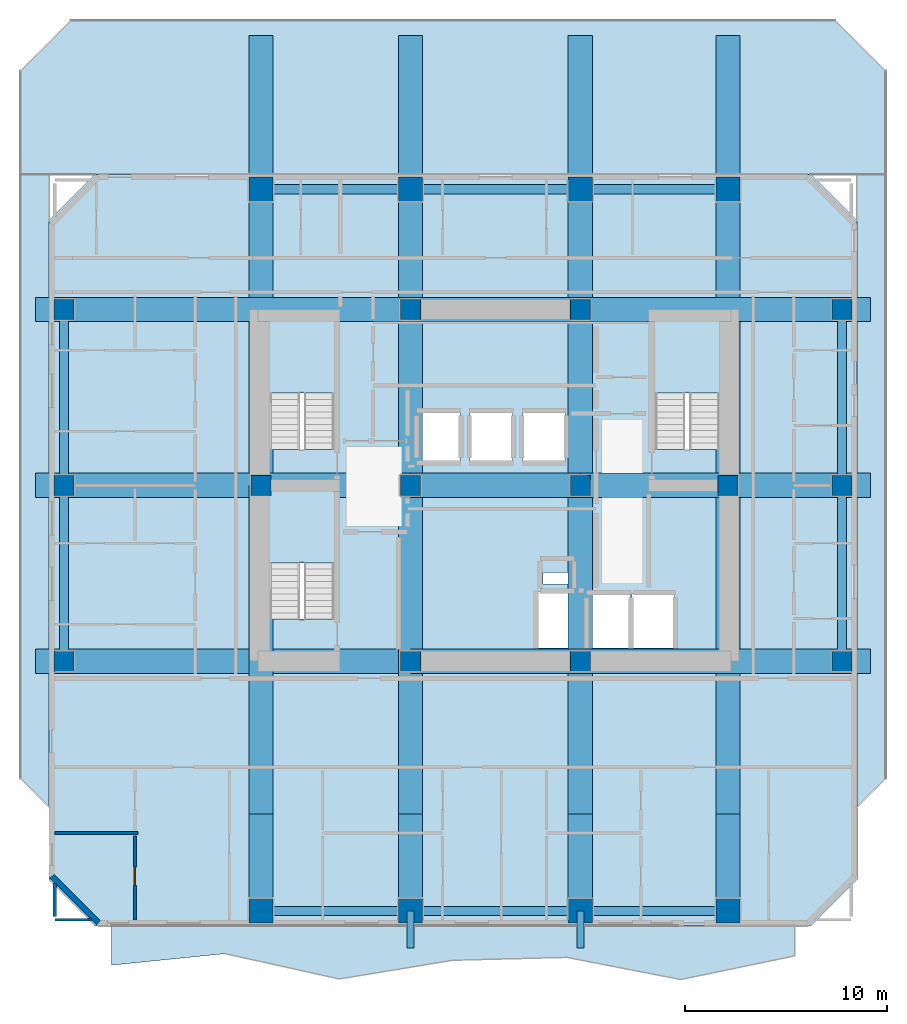
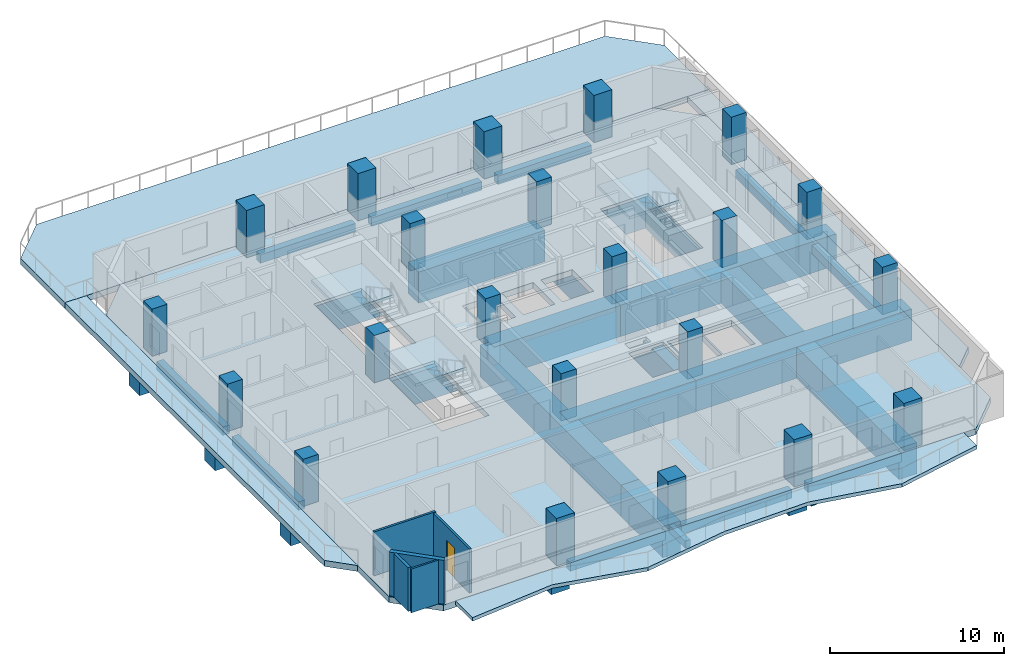
# One storey, part 1 of 11: 33 beams, 22 columns, 8 slabs, 5 walls, 1 door, 1 opening, 3 elements without a shape of their own.
"""IFC4 building model written with IfcOpenShell, lengths in metres."""

from ifc_helpers import new_model, si_unit, direction, frame, frame_2d, origin, origin_2d, place, context, subcontext, project, spatial, polyline, rectangle, outline, extrude, material, layer, layer_set, material_profile, profile_set, type_object, element, fill, aggregate, save


model = new_model("IFC4")

# Units and contexts
model_context = context("Model", 3, precision=1e-05, world=origin(), true_north=direction((0.0, 1.0)))
body_context = subcontext(model_context, "Body", "Model", "MODEL_VIEW")
ifc_project = project(units=[si_unit("LENGTHUNIT", "METRE"), si_unit("AREAUNIT", "SQUARE_METRE"), si_unit("VOLUMEUNIT", "CUBIC_METRE"), si_unit("PLANEANGLEUNIT", "RADIAN"), si_unit("MASSUNIT", "GRAM", prefix="KILO")], contexts=[model_context])

# Site, building, storey
site_placement = place(None, origin())
site = spatial("IfcSite", under=ifc_project, at=site_placement, CompositionType="ELEMENT")
building_placement = place(site_placement, origin())
building = spatial("IfcBuilding", under=site, at=building_placement, Name="Solanera Arch Residences", CompositionType="ELEMENT")
storey_placement = place(building_placement, frame((0.0, 0.0, 106.080078125)))
storey = spatial("IfcBuildingStorey", under=building, at=storey_placement, Name="L30", CompositionType="ELEMENT", Elevation=106.080078125)

# Columns
ifc_material_1 = material(Name="Concrete C55/67 (f'c = 60 MPa)", Category="concrete")
ifc_material_profile_1 = material_profile(ifc_material_1, rectangle(XDim=1.0, YDim=1.0, at=origin_2d()))
ifc_profile_set_1 = profile_set([ifc_material_profile_1], Name="Concrete C55/67 (f'c = 60 MPa)")
column_type_1 = type_object("IfcColumnType", Name="Structural Column RC-COL-1000X1000", PredefinedType="COLUMN", material=ifc_profile_set_1)
for number, where, z_axis, x_axis, name in (
    (1, (20.800048828125, 22.0, 0.0), (0.0, 0.0, 1.0), (1.0, 0.0, 0.0), "COL-L30-CB-SW"),
    (2, (29.199951171875, 22.0, 0.0), (0.0, 0.0, 1.0), (1.0, 0.0, 0.0), "COL-L30-CB-SE"),
    (3, (20.800048828125, 39.39990234375, 0.0), (0.0, 0.0, 1.0), (1.0, 0.0, 0.0), "COL-L30-CB-NW"),
    (4, (29.199951171875, 39.39990234375, 0.0), (0.0, 0.0, 1.0), (1.0, 0.0, 0.0), "COL-L30-CB-NE"),
    (5, (13.39990234375, 30.699951171875, 0.0), (0.0, 0.0, 1.0), (1.0, 0.0, 0.0), "COL-L30-CB-WW"),
    (6, (36.5, 30.699951171875, 0.0), (0.0, 0.0, 1.0), (1.0, 0.0, 0.0), "COL-L30-CB-EE"),
    (7, (20.800048828125, 30.699951171875, 0.0), (0.0, 0.0, 1.0), (1.0, 0.0, 0.0), "COL-L30-CORE-W"),
    (8, (29.199951171875, 30.699951171875, 0.0), (0.0, 0.0, 1.0), (1.0, 0.0, 0.0), "COL-L30-CORE-E"),
):
    element("IfcColumn", number, at=place(storey_placement, frame(where, z_axis=z_axis, x_axis=x_axis)), inside=storey, type_object=column_type_1, Name=name, PredefinedType="COLUMN", context=body_context, shape_type="SweptSolid", body=[
        extrude(rectangle(XDim=1.0, YDim=1.0, at=origin_2d()), origin(), (0.0, 0.0, 1.0), 3.31982421875),
    ])
for number, where, z_axis, x_axis, name in (
    (9, (3.64990234375, 22.0, -0.2001953125), (0.0, 0.0, 1.0), (1.0, 0.0, 0.0), "COL-L30-TWR-09"),
    (10, (42.14990234375, 22.0, -0.2001953125), (0.0, 0.0, 1.0), (1.0, 0.0, 0.0), "COL-L30-TWR-10"),
    (11, (3.64990234375, 30.699951171875, -0.2001953125), (0.0, 0.0, 1.0), (1.0, 0.0, 0.0), "COL-L30-TWR-11"),
    (12, (42.14990234375, 30.699951171875, -0.2001953125), (0.0, 0.0, 1.0), (1.0, 0.0, 0.0), "COL-L30-TWR-12"),
    (13, (3.64990234375, 39.39990234375, -0.2001953125), (0.0, 0.0, 1.0), (1.0, 0.0, 0.0), "COL-L30-TWR-13"),
    (14, (42.14990234375, 39.39990234375, -0.2001953125), (0.0, 0.0, 1.0), (1.0, 0.0, 0.0), "COL-L30-TWR-14"),
):
    element("IfcColumn", number, at=place(storey_placement, frame(where, z_axis=z_axis, x_axis=x_axis)), inside=storey, type_object=column_type_1, Name=name, PredefinedType="COLUMN", context=body_context, shape_type="SweptSolid", body=[
        extrude(rectangle(XDim=1.0, YDim=1.0, at=origin_2d()), origin(), (0.0, 0.0, 1.0), 3.52001953125),
    ])
ifc_material_2 = material(Name="Concrete C55/67 (f'c = 60 MPa)", Category="concrete")
ifc_material_profile_2 = material_profile(ifc_material_2, rectangle(XDim=1.199951171875, YDim=1.199951171875, at=origin_2d()))
ifc_profile_set_2 = profile_set([ifc_material_profile_2], Name="Concrete C55/67 (f'c = 60 MPa)")
column_type_2 = type_object("IfcColumnType", Name="Structural Column RC-COL-1200X1200", PredefinedType="COLUMN", material=ifc_profile_set_2)
for number, where, z_axis, x_axis, name in (
    (15, (13.39990234375, 9.64990234375, -0.2001953125), (0.0, 0.0, 1.0), (1.0, 0.0, 0.0), "COL-L30-TWR-01"),
    (16, (13.39990234375, 45.35009765625, -0.2001953125), (0.0, 0.0, 1.0), (1.0, 0.0, 0.0), "COL-L30-TWR-02"),
    (17, (20.800048828125, 9.64990234375, -0.2001953125), (0.0, 0.0, 1.0), (1.0, 0.0, 0.0), "COL-L30-TWR-03"),
    (18, (20.800048828125, 45.35009765625, -0.2001953125), (0.0, 0.0, 1.0), (1.0, 0.0, 0.0), "COL-L30-TWR-04"),
    (19, (29.199951171875, 9.64990234375, -0.2001953125), (0.0, 0.0, 1.0), (1.0, 0.0, 0.0), "COL-L30-TWR-05"),
    (20, (29.199951171875, 45.35009765625, -0.2001953125), (0.0, 0.0, 1.0), (1.0, 0.0, 0.0), "COL-L30-TWR-06"),
    (21, (36.5, 9.64990234375, -0.2001953125), (0.0, 0.0, 1.0), (1.0, 0.0, 0.0), "COL-L30-TWR-07"),
    (22, (36.5, 45.35009765625, -0.2001953125), (0.0, 0.0, 1.0), (1.0, 0.0, 0.0), "COL-L30-TWR-08"),
):
    element("IfcColumn", number, at=place(storey_placement, frame(where, z_axis=z_axis, x_axis=x_axis)), inside=storey, type_object=column_type_2, Name=name, PredefinedType="COLUMN", context=body_context, shape_type="SweptSolid", body=[
        extrude(rectangle(XDim=1.199951171875, YDim=1.199951171875, at=origin_2d()), origin(), (0.0, 0.0, 1.0), 3.52001953125),
    ])

# Beams
ifc_material_3 = material(Name="Concrete C40/50 (f'c = 45 MPa)", Category="concrete")
ifc_material_profile_3 = material_profile(ifc_material_3, rectangle(XDim=0.35009765625, YDim=0.5, at=origin_2d()))
ifc_profile_set_3 = profile_set([ifc_material_profile_3], Name="Concrete C40/50 (f'c = 45 MPa)")
beam_type_1 = type_object("IfcBeamType", Name="BM-BALC-RIB", PredefinedType="BEAM", material=ifc_profile_set_3)
for number, where, z_axis, x_axis, name in (
    (23, (20.800048828125, 7.800048828125, -0.5), (0.0, 1.0, 0.0), (-1.0, 0.0, 0.0), "BM-L30-BRIB-S1"),
    (24, (29.199951171875, 7.800048828125, -0.5), (0.0, 1.0, 0.0), (-1.0, 0.0, 0.0), "BM-L30-BRIB-S2"),
):
    element("IfcBeam", number, at=place(storey_placement, frame(where, z_axis=z_axis, x_axis=x_axis)), inside=storey, type_object=beam_type_1, Name=name, PredefinedType="BEAM", context=body_context, shape_type="SweptSolid", body=[
        extrude(rectangle(XDim=0.35009765625, YDim=0.5, at=origin_2d()), origin(), (0.0, 0.0, 1.0), 1.849853515625),
    ])
ifc_material_4 = material(Name="Concrete C55/67 (f'c = 60 MPa)", Category="concrete")
ifc_material_profile_4 = material_profile(ifc_material_4, rectangle(XDim=1.199951171875, YDim=2.199951171875, at=origin_2d()))
ifc_profile_set_4 = profile_set([ifc_material_profile_4], Name="Concrete C55/67 (f'c = 60 MPa)")
beam_type_2 = type_object("IfcBeamType", Name="BM-CANT-BLOCK", PredefinedType="BEAM", material=ifc_profile_set_4)
for number, where, z_axis, x_axis, name in (
    (25, (13.39990234375, 9.64990234375, -1.300048828125), (0.0, 1.0, 0.0), (-1.0, 0.0, 0.0), "BM-L30-CANT-NS-S-134"),
    (26, (20.800048828125, 9.64990234375, -1.300048828125), (0.0, 1.0, 0.0), (-1.0, 0.0, 0.0), "BM-L30-CANT-NS-S-208"),
    (27, (29.199951171875, 9.64990234375, -1.300048828125), (0.0, 1.0, 0.0), (-1.0, 0.0, 0.0), "BM-L30-CANT-NS-S-292"),
    (28, (36.5, 9.64990234375, -1.300048828125), (0.0, 1.0, 0.0), (-1.0, 0.0, 0.0), "BM-L30-CANT-NS-S-365"),
):
    element("IfcBeam", number, at=place(storey_placement, frame(where, z_axis=z_axis, x_axis=x_axis)), inside=storey, type_object=beam_type_2, Name=name, PredefinedType="BEAM", context=body_context, shape_type="SweptSolid", body=[
        extrude(rectangle(XDim=1.199951171875, YDim=2.199951171875, at=origin_2d()), origin(), (0.0, 0.0, 1.0), 4.800048828125),
    ])
ifc_material_5 = material(Name="Concrete C40/50 (f'c = 45 MPa)", Category="concrete")
ifc_material_profile_5 = material_profile(ifc_material_5, rectangle(XDim=0.449951171875, YDim=0.60009765625, at=origin_2d()))
ifc_profile_set_5 = profile_set([ifc_material_profile_5], Name="Concrete C40/50 (f'c = 45 MPa)")
beam_type_3 = type_object("IfcBeamType", Name="Spandrel Beam RC-BM-450X600", PredefinedType="SPANDREL", material=ifc_profile_set_5)
for number, where, z_axis, x_axis, name in (
    (29, (13.93994140625, 9.64990234375, -0.719970703125), (1.0, 0.0, 0.0), (0.0, 1.0, 0.0), "BM-L30-XRING-S-1"),
    (30, (13.93994140625, 45.35009765625, -0.719970703125), (1.0, 0.0, 0.0), (0.0, 1.0, 0.0), "BM-L30-XRING-N-1"),
):
    element("IfcBeam", number, at=place(storey_placement, frame(where, z_axis=z_axis, x_axis=x_axis)), inside=storey, type_object=beam_type_3, Name=name, PredefinedType="SPANDREL", context=body_context, shape_type="SweptSolid", body=[
        extrude(rectangle(XDim=0.449951171875, YDim=0.60009765625, at=origin_2d()), origin(), (0.0, 0.0, 1.0), 6.320068359375),
    ])
for number, where, z_axis, x_axis, name in (
    (31, (21.340087890625, 9.64990234375, -0.719970703125), (1.0, 0.0, 0.0), (0.0, 1.0, 0.0), "BM-L30-XRING-S-2"),
    (32, (21.340087890625, 45.35009765625, -0.719970703125), (1.0, 0.0, 0.0), (0.0, 1.0, 0.0), "BM-L30-XRING-N-2"),
):
    element("IfcBeam", number, at=place(storey_placement, frame(where, z_axis=z_axis, x_axis=x_axis)), inside=storey, type_object=beam_type_3, Name=name, PredefinedType="SPANDREL", context=body_context, shape_type="SweptSolid", body=[
        extrude(rectangle(XDim=0.449951171875, YDim=0.60009765625, at=origin_2d()), origin(), (0.0, 0.0, 1.0), 7.31982421875),
    ])
for number, where, z_axis, x_axis, name in (
    (33, (29.739990234375, 9.64990234375, -0.719970703125), (1.0, 0.0, 0.0), (0.0, 1.0, 0.0), "BM-L30-XRING-S-3"),
    (34, (29.739990234375, 45.35009765625, -0.719970703125), (1.0, 0.0, 0.0), (0.0, 1.0, 0.0), "BM-L30-XRING-N-3"),
):
    element("IfcBeam", number, at=place(storey_placement, frame(where, z_axis=z_axis, x_axis=x_axis)), inside=storey, type_object=beam_type_3, Name=name, PredefinedType="SPANDREL", context=body_context, shape_type="SweptSolid", body=[
        extrude(rectangle(XDim=0.449951171875, YDim=0.60009765625, at=origin_2d()), origin(), (0.0, 0.0, 1.0), 6.219970703125),
    ])
for number, where, z_axis, x_axis, name in (
    (35, (3.64990234375, 22.5400390625, -0.719970703125), (0.0, 1.0, 0.0), (-1.0, 0.0, 0.0), "BM-L30-XRING-W-1"),
    (36, (42.14990234375, 22.5400390625, -0.719970703125), (0.0, 1.0, 0.0), (-1.0, 0.0, 0.0), "BM-L30-XRING-E-1"),
):
    element("IfcBeam", number, at=place(storey_placement, frame(where, z_axis=z_axis, x_axis=x_axis)), inside=storey, type_object=beam_type_3, Name=name, PredefinedType="SPANDREL", context=body_context, shape_type="SweptSolid", body=[
        extrude(rectangle(XDim=0.449951171875, YDim=0.60009765625, at=origin_2d()), origin(), (0.0, 0.0, 1.0), 7.619873046875),
    ])
for number, where, z_axis, x_axis, name in (
    (37, (3.64990234375, 31.239990234375, -0.719970703125), (0.0, 1.0, 0.0), (-1.0, 0.0, 0.0), "BM-L30-XRING-W-2"),
    (38, (42.14990234375, 31.239990234375, -0.719970703125), (0.0, 1.0, 0.0), (-1.0, 0.0, 0.0), "BM-L30-XRING-E-2"),
):
    element("IfcBeam", number, at=place(storey_placement, frame(where, z_axis=z_axis, x_axis=x_axis)), inside=storey, type_object=beam_type_3, Name=name, PredefinedType="SPANDREL", context=body_context, shape_type="SweptSolid", body=[
        extrude(rectangle(XDim=0.449951171875, YDim=0.60009765625, at=origin_2d()), origin(), (0.0, 0.0, 1.0), 7.6201171875),
    ])
ifc_material_6 = material(Name="Concrete C55/67 (f'c = 60 MPa)", Category="concrete")
ifc_material_profile_6 = material_profile(ifc_material_6, rectangle(XDim=1.199951171875, YDim=2.199951171875, at=origin_2d()))
ifc_profile_set_6 = profile_set([ifc_material_profile_6], Name="Concrete C55/67 (f'c = 60 MPa)")
beam_type_4 = type_object("IfcBeamType", Name="Transfer Girder RC-BM-1200X2200", PredefinedType="BEAM", material=ifc_profile_set_6)
beam_1_placement = place(storey_placement, frame((13.39990234375, 14.449951171875, -1.300048828125), z_axis=(0.0, 1.0, 0.0), x_axis=(-1.0, 0.0, 0.0)))
element("IfcBeam", 39, at=beam_1_placement, inside=storey, type_object=beam_type_4, Name="BM-L30-XFER-NS-S-134", PredefinedType="BEAM", context=body_context, shape_type="SweptSolid", body=[
    extrude(rectangle(XDim=1.199951171875, YDim=2.199951171875, at=origin_2d()), origin(), (0.0, 0.0, 1.0), 16.25),
])
beam_2_placement = place(storey_placement, frame((13.39990234375, 30.699951171875, -1.300048828125), z_axis=(0.0, 1.0, 0.0), x_axis=(-1.0, 0.0, 0.0)))
element("IfcBeam", 40, at=beam_2_placement, inside=storey, type_object=beam_type_4, Name="BM-L30-XFER-NS-N-134", PredefinedType="BEAM", context=body_context, shape_type="SweptSolid", body=[
    extrude(rectangle(XDim=1.199951171875, YDim=2.199951171875, at=origin_2d()), origin(), (0.0, 0.0, 1.0), 22.25),
])
beam_3_placement = place(storey_placement, frame((20.800048828125, 14.449951171875, -1.300048828125), z_axis=(0.0, 1.0, 0.0), x_axis=(-1.0, 0.0, 0.0)))
element("IfcBeam", 41, at=beam_3_placement, inside=storey, type_object=beam_type_4, Name="BM-L30-XFER-NS-S-208", PredefinedType="BEAM", context=body_context, shape_type="SweptSolid", body=[
    extrude(rectangle(XDim=1.199951171875, YDim=2.199951171875, at=origin_2d()), origin(), (0.0, 0.0, 1.0), 16.25),
])
beam_4_placement = place(storey_placement, frame((20.800048828125, 30.699951171875, -1.300048828125), z_axis=(0.0, 1.0, 0.0), x_axis=(-1.0, 0.0, 0.0)))
element("IfcBeam", 42, at=beam_4_placement, inside=storey, type_object=beam_type_4, Name="BM-L30-XFER-NS-N-208", PredefinedType="BEAM", context=body_context, shape_type="SweptSolid", body=[
    extrude(rectangle(XDim=1.199951171875, YDim=2.199951171875, at=origin_2d()), origin(), (0.0, 0.0, 1.0), 22.25),
])
beam_5_placement = place(storey_placement, frame((29.199951171875, 14.449951171875, -1.300048828125), z_axis=(0.0, 1.0, 0.0), x_axis=(-1.0, 0.0, 0.0)))
element("IfcBeam", 43, at=beam_5_placement, inside=storey, type_object=beam_type_4, Name="BM-L30-XFER-NS-S-292", PredefinedType="BEAM", context=body_context, shape_type="SweptSolid", body=[
    extrude(rectangle(XDim=1.199951171875, YDim=2.199951171875, at=origin_2d()), origin(), (0.0, 0.0, 1.0), 16.25),
])
beam_6_placement = place(storey_placement, frame((29.199951171875, 30.699951171875, -1.300048828125), z_axis=(0.0, 1.0, 0.0), x_axis=(-1.0, 0.0, 0.0)))
element("IfcBeam", 44, at=beam_6_placement, inside=storey, type_object=beam_type_4, Name="BM-L30-XFER-NS-N-292", PredefinedType="BEAM", context=body_context, shape_type="SweptSolid", body=[
    extrude(rectangle(XDim=1.199951171875, YDim=2.199951171875, at=origin_2d()), origin(), (0.0, 0.0, 1.0), 22.25),
])
beam_7_placement = place(storey_placement, frame((36.5, 14.449951171875, -1.300048828125), z_axis=(0.0, 1.0, 0.0), x_axis=(-1.0, 0.0, 0.0)))
element("IfcBeam", 45, at=beam_7_placement, inside=storey, type_object=beam_type_4, Name="BM-L30-XFER-NS-S-365", PredefinedType="BEAM", context=body_context, shape_type="SweptSolid", body=[
    extrude(rectangle(XDim=1.199951171875, YDim=2.199951171875, at=origin_2d()), origin(), (0.0, 0.0, 1.0), 16.25),
])
beam_8_placement = place(storey_placement, frame((36.5, 30.699951171875, -1.300048828125), z_axis=(0.0, 1.0, 0.0), x_axis=(-1.0, 0.0, 0.0)))
element("IfcBeam", 46, at=beam_8_placement, inside=storey, type_object=beam_type_4, Name="BM-L30-XFER-NS-N-365", PredefinedType="BEAM", context=body_context, shape_type="SweptSolid", body=[
    extrude(rectangle(XDim=1.199951171875, YDim=2.199951171875, at=origin_2d()), origin(), (0.0, 0.0, 1.0), 22.25),
])
beam_9_placement = place(storey_placement, frame((2.25, 22.0, -1.300048828125), z_axis=(1.0, 0.0, 0.0), x_axis=(0.0, 1.0, 0.0)))
element("IfcBeam", 47, at=beam_9_placement, inside=storey, type_object=beam_type_4, Name="BM-L30-XFER-EW-W-220", PredefinedType="BEAM", context=body_context, shape_type="SweptSolid", body=[
    extrude(rectangle(XDim=1.199951171875, YDim=2.199951171875, at=origin_2d()), origin(), (0.0, 0.0, 1.0), 18.550048828125),
])
beam_10_placement = place(storey_placement, frame((20.800048828125, 22.0, -1.300048828125), z_axis=(1.0, 0.0, 0.0), x_axis=(0.0, 1.0, 0.0)))
element("IfcBeam", 48, at=beam_10_placement, inside=storey, type_object=beam_type_4, Name="BM-L30-XFER-EW-C-220", PredefinedType="BEAM", context=body_context, shape_type="SweptSolid", body=[
    extrude(rectangle(XDim=1.199951171875, YDim=2.199951171875, at=origin_2d()), origin(), (0.0, 0.0, 1.0), 8.39990234375),
])
beam_11_placement = place(storey_placement, frame((29.199951171875, 22.0, -1.300048828125), z_axis=(1.0, 0.0, 0.0), x_axis=(0.0, 1.0, 0.0)))
element("IfcBeam", 49, at=beam_11_placement, inside=storey, type_object=beam_type_4, Name="BM-L30-XFER-EW-E-220", PredefinedType="BEAM", context=body_context, shape_type="SweptSolid", body=[
    extrude(rectangle(XDim=1.199951171875, YDim=2.199951171875, at=origin_2d()), origin(), (0.0, 0.0, 1.0), 14.35009765625),
])
beam_12_placement = place(storey_placement, frame((2.25, 30.699951171875, -1.300048828125), z_axis=(1.0, 0.0, 0.0), x_axis=(0.0, 1.0, 0.0)))
element("IfcBeam", 50, at=beam_12_placement, inside=storey, type_object=beam_type_4, Name="BM-L30-XFER-EW-W-307", PredefinedType="BEAM", context=body_context, shape_type="SweptSolid", body=[
    extrude(rectangle(XDim=1.199951171875, YDim=2.199951171875, at=origin_2d()), origin(), (0.0, 0.0, 1.0), 18.550048828125),
])
beam_13_placement = place(storey_placement, frame((20.800048828125, 30.699951171875, -1.300048828125), z_axis=(1.0, 0.0, 0.0), x_axis=(0.0, 1.0, 0.0)))
element("IfcBeam", 51, at=beam_13_placement, inside=storey, type_object=beam_type_4, Name="BM-L30-XFER-EW-C-307", PredefinedType="BEAM", context=body_context, shape_type="SweptSolid", body=[
    extrude(rectangle(XDim=1.199951171875, YDim=2.199951171875, at=origin_2d()), origin(), (0.0, 0.0, 1.0), 8.39990234375),
])
beam_14_placement = place(storey_placement, frame((29.199951171875, 30.699951171875, -1.300048828125), z_axis=(1.0, 0.0, 0.0), x_axis=(0.0, 1.0, 0.0)))
element("IfcBeam", 52, at=beam_14_placement, inside=storey, type_object=beam_type_4, Name="BM-L30-XFER-EW-E-307", PredefinedType="BEAM", context=body_context, shape_type="SweptSolid", body=[
    extrude(rectangle(XDim=1.199951171875, YDim=2.199951171875, at=origin_2d()), origin(), (0.0, 0.0, 1.0), 14.35009765625),
])
beam_15_placement = place(storey_placement, frame((2.25, 39.39990234375, -1.300048828125), z_axis=(1.0, 0.0, 0.0), x_axis=(0.0, 1.0, 0.0)))
element("IfcBeam", 53, at=beam_15_placement, inside=storey, type_object=beam_type_4, Name="BM-L30-XFER-EW-W-394", PredefinedType="BEAM", context=body_context, shape_type="SweptSolid", body=[
    extrude(rectangle(XDim=1.199951171875, YDim=2.199951171875, at=origin_2d()), origin(), (0.0, 0.0, 1.0), 18.550048828125),
])
beam_16_placement = place(storey_placement, frame((20.800048828125, 39.39990234375, -1.300048828125), z_axis=(1.0, 0.0, 0.0), x_axis=(0.0, 1.0, 0.0)))
element("IfcBeam", 54, at=beam_16_placement, inside=storey, type_object=beam_type_4, Name="BM-L30-XFER-EW-C-394", PredefinedType="BEAM", context=body_context, shape_type="SweptSolid", body=[
    extrude(rectangle(XDim=1.199951171875, YDim=2.199951171875, at=origin_2d()), origin(), (0.0, 0.0, 1.0), 8.39990234375),
])
beam_17_placement = place(storey_placement, frame((29.199951171875, 39.39990234375, -1.300048828125), z_axis=(1.0, 0.0, 0.0), x_axis=(0.0, 1.0, 0.0)))
element("IfcBeam", 55, at=beam_17_placement, inside=storey, type_object=beam_type_4, Name="BM-L30-XFER-EW-E-394", PredefinedType="BEAM", context=body_context, shape_type="SweptSolid", body=[
    extrude(rectangle(XDim=1.199951171875, YDim=2.199951171875, at=origin_2d()), origin(), (0.0, 0.0, 1.0), 14.35009765625),
])

# Slab
ifc_material_7 = material(Name="Concrete C40/50 (f'c = 45 MPa)", Category="concrete")
ifc_layer_1 = layer(ifc_material_7, 0.25)
ifc_layer_set_1 = layer_set([ifc_layer_1], Name="Concrete C40/50 (f'c = 45 MPa)")
slab_type_1 = type_object("IfcSlabType", Name="Balcony Slab 250", PredefinedType="FLOOR", material=ifc_layer_set_1)
slab_1_placement = place(storey_placement, frame((0.0, 0.0, -0.25)))
element("IfcSlab", 56, at=slab_1_placement, inside=storey, type_object=slab_type_1, Name="L30 S Rippling Brise-Soleil Balcony Slab", PredefinedType="FLOOR", context=body_context, shape_type="SweptSolid", body=[
    extrude(outline(polyline([(6.0, 6.9599609375), (11.633056640625, 7.529052734375), (17.26708984375, 6.279052734375), (22.89990234375, 7.2060546875), (28.532958984375, 7.346923828125), (34.1669921875, 6.251953125), (39.800048828125, 7.4208984375), (39.800048828125, 8.919921875), (6.0, 8.919921875), (6.0, 6.9599609375)])), origin(), (0.0, 0.0, 1.0), 0.25),
])

# Stair, slab
ifc_material_8 = material(Name="Concrete C40/50 (f'c = 45 MPa)", Category="concrete")
stair_type = type_object("IfcStairType", Name="Tower Dogleg Exit Stair 1480", PredefinedType="HALF_TURN_STAIR", material=ifc_material_8)
stair_1_placement = place(storey_placement, origin())
stair_1 = element("IfcStair", 57, at=stair_1_placement, inside=storey, type_object=stair_type, Name="L30 Tower Core Exit Stair 1", PredefinedType="HALF_TURN_STAIR")
ifc_material_9 = material(Name="Concrete C40/50 (f'c = 45 MPa)", Category="concrete")
ifc_layer_2 = layer(ifc_material_9, 0.199951171875)
ifc_layer_set_2 = layer_set([ifc_layer_2], Name="Concrete C40/50 (f'c = 45 MPa)")
slab_type_2 = type_object("IfcSlabType", Name="Stair Half-Landing Slab 200", PredefinedType="LANDING", material=ifc_layer_set_2)
slab_2_placement = place(storey_placement, frame((0.0, 0.0, 1.4599609375)))
slab_2 = element("IfcSlab", 58, at=slab_2_placement, type_object=slab_type_2, Name="ST-T1 landing 1", PredefinedType="LANDING", context=body_context, shape_type="SweptSolid", body=[
    extrude(outline(polyline([(17.1201171875, 35.260009765625), (17.1201171875, 38.919921875), (13.719970703125, 38.919921875), (13.719970703125, 35.260009765625), (17.1201171875, 35.260009765625)])), origin(), (0.0, 0.0, 1.0), 0.199951171875),
])
aggregate(stair_1, [slab_2])

stair_2_placement = place(storey_placement, origin())
stair_2 = element("IfcStair", 59, at=stair_2_placement, inside=storey, type_object=stair_type, Name="L30 Tower Core Exit Stair 2", PredefinedType="HALF_TURN_STAIR")
slab_3_placement = place(storey_placement, frame((0.0, 0.0, 1.4599609375)))
slab_3 = element("IfcSlab", 60, at=slab_3_placement, type_object=slab_type_2, Name="ST-T2 landing 1", PredefinedType="LANDING", context=body_context, shape_type="SweptSolid", body=[
    extrude(outline(polyline([(36.179931640625, 35.260009765625), (36.179931640625, 38.919921875), (32.780029296875, 38.919921875), (32.780029296875, 35.260009765625), (36.179931640625, 35.260009765625)])), origin(), (0.0, 0.0, 1.0), 0.199951171875),
])
aggregate(stair_2, [slab_3])

stair_3_placement = place(storey_placement, origin())
stair_3 = element("IfcStair", 61, at=stair_3_placement, inside=storey, type_object=stair_type, Name="L30 Tower Core Exit Stair 3", PredefinedType="HALF_TURN_STAIR")
slab_4_placement = place(storey_placement, frame((0.0, 0.0, 1.4599609375)))
slab_4 = element("IfcSlab", 62, at=slab_4_placement, type_object=slab_type_2, Name="ST-T3 landing 1", PredefinedType="LANDING", context=body_context, shape_type="SweptSolid", body=[
    extrude(outline(polyline([(17.1201171875, 26.860107421875), (17.1201171875, 30.52001953125), (13.719970703125, 30.52001953125), (13.719970703125, 26.860107421875), (17.1201171875, 26.860107421875)])), origin(), (0.0, 0.0, 1.0), 0.199951171875),
])
aggregate(stair_3, [slab_4])

# Slabs
ifc_material_10 = material(Name="Concrete C40/50 (f'c = 45 MPa)", Category="concrete")
ifc_layer_3 = layer(ifc_material_10, 0.419921875)
ifc_layer_set_3 = layer_set([ifc_layer_3], Name="Concrete C40/50 (f'c = 45 MPa)")
slab_type_3 = type_object("IfcSlabType", Name="Suspended Floor Slab Post-Tensioned 420", PredefinedType="FLOOR", material=ifc_layer_set_3)
slab_5_placement = place(storey_placement, frame((0.0, 0.0, -0.420166015625)))
element("IfcSlab", 63, at=slab_5_placement, inside=storey, type_object=slab_type_3, Name="L30 Tower Post-Tensioned Floor Slab", PredefinedType="FLOOR", context=body_context, shape_type="SweptSolid", body=[
    extrude(outline(polyline([(5.199951171875, 8.89990234375), (40.60009765625, 8.89990234375), (42.89990234375, 11.199951171875), (42.89990234375, 43.800048828125), (40.60009765625, 46.10009765625), (5.199951171875, 46.10009765625), (2.89990234375, 43.800048828125), (2.89990234375, 11.199951171875), (5.199951171875, 8.89990234375)]), holes=[polyline([(13.840087890625, 32.48291015625), (13.840087890625, 38.800048828125), (17.0, 38.800048828125), (17.0, 32.48291015625), (13.840087890625, 32.48291015625)]), polyline([(32.89990234375, 32.48291015625), (32.89990234375, 38.800048828125), (36.06005859375, 38.800048828125), (36.06005859375, 32.48291015625), (32.89990234375, 32.48291015625)]), polyline([(13.840087890625, 24.0830078125), (13.840087890625, 30.39990234375), (17.0, 30.39990234375), (17.0, 24.0830078125), (13.840087890625, 24.0830078125)]), polyline([(21.14990234375, 34.35009765625), (23.25, 34.35009765625), (23.25, 31.85009765625), (21.14990234375, 31.85009765625), (21.14990234375, 34.35009765625)]), polyline([(23.75, 34.35009765625), (25.85009765625, 34.35009765625), (25.85009765625, 31.85009765625), (23.75, 31.85009765625), (23.75, 34.35009765625)]), polyline([(26.35009765625, 34.35009765625), (28.449951171875, 34.35009765625), (28.449951171875, 31.85009765625), (26.35009765625, 31.85009765625), (26.35009765625, 34.35009765625)]), polyline([(29.550048828125, 25.35009765625), (31.64990234375, 25.35009765625), (31.64990234375, 22.64990234375), (29.550048828125, 22.64990234375), (29.550048828125, 25.35009765625)]), polyline([(31.75, 25.35009765625), (33.85009765625, 25.35009765625), (33.85009765625, 22.64990234375), (31.75, 22.64990234375), (31.75, 25.35009765625)]), polyline([(27.050048828125, 25.449951171875), (29.35009765625, 25.449951171875), (29.35009765625, 22.64990234375), (27.050048828125, 22.64990234375), (27.050048828125, 25.449951171875)]), polyline([(27.340087890625, 26.3798828125), (28.760009765625, 26.3798828125), (28.760009765625, 25.820068359375), (27.340087890625, 25.820068359375), (27.340087890625, 26.3798828125)])]), origin(), (0.0, 0.0, 1.0), 0.420166015625),
])
ifc_material_11 = material(Name="Concrete C40/50 (f'c = 45 MPa)", Category="concrete")
ifc_layer_4 = layer(ifc_material_11, 0.419921875)
ifc_layer_set_4 = layer_set([ifc_layer_4], Name="Concrete C40/50 (f'c = 45 MPa)")
slab_type_4 = type_object("IfcSlabType", Name="Terrace Slab 420", PredefinedType="FLOOR", material=ifc_layer_set_4)
slab_6_placement = place(storey_placement, frame((0.0, 0.0, -0.420166015625)))
element("IfcSlab", 64, at=slab_6_placement, inside=storey, type_object=slab_type_4, Name="L30 Planted Sky Terrace Slab 1", PredefinedType="FLOOR", context=body_context, shape_type="SweptSolid", body=[
    extrude(outline(polyline([(1.5, 46.080078125), (5.2080078125, 46.080078125), (40.592041015625, 46.080078125), (44.300048828125, 46.080078125), (44.300048828125, 51.199951171875), (41.800048828125, 53.699951171875), (4.0, 53.699951171875), (1.5, 51.199951171875), (1.5, 46.080078125)])), origin(), (0.0, 0.0, 1.0), 0.420166015625),
])
slab_7_placement = place(storey_placement, frame((0.0, 0.0, -0.420166015625)))
element("IfcSlab", 65, at=slab_7_placement, inside=storey, type_object=slab_type_4, Name="L30 Planted Sky Terrace Slab 2", PredefinedType="FLOOR", context=body_context, shape_type="SweptSolid", body=[
    extrude(outline(polyline([(1.5, 16.199951171875), (2.919921875, 14.780029296875), (2.919921875, 43.7919921875), (2.919921875, 46.080078125), (1.5, 46.080078125), (1.5, 16.199951171875)])), origin(), (0.0, 0.0, 1.0), 0.420166015625),
])
slab_8_placement = place(storey_placement, frame((0.0, 0.0, -0.420166015625)))
element("IfcSlab", 66, at=slab_8_placement, inside=storey, type_object=slab_type_4, Name="L30 Planted Sky Terrace Slab 3", PredefinedType="FLOOR", context=body_context, shape_type="SweptSolid", body=[
    extrude(outline(polyline([(44.300048828125, 46.080078125), (42.8798828125, 46.080078125), (42.8798828125, 43.7919921875), (42.8798828125, 14.780029296875), (44.300048828125, 16.199951171875), (44.300048828125, 46.080078125)])), origin(), (0.0, 0.0, 1.0), 0.420166015625),
])

# Walls
ifc_material_12 = material(Name="Autoclaved Aerated Concrete Blockwork", Category="masonry")
ifc_layer_5 = layer(ifc_material_12, 0.179931640625)
ifc_layer_set_5 = layer_set([ifc_layer_5], Name="Autoclaved Aerated Concrete Blockwork")
wall_type_1 = type_object("IfcWallType", Name="Corridor Fire Partition 180", PredefinedType="PARTITIONING", material=ifc_layer_set_5)
wall_1_placement = place(storey_placement, frame((3.199951171875, 9.35791015625, 0.0), z_axis=(0.0, 0.0, 1.0), x_axis=(0.0, 1.0, 0.0)))
element("IfcWall", 67, at=wall_1_placement, inside=storey, type_object=wall_type_1, Name="L30 Interior Partition V8 1", PredefinedType="PARTITIONING", context=body_context, shape_type="SweptSolid", body=[
    extrude(rectangle(XDim=1.63720703125, YDim=0.179931640625, at=frame_2d((0.818603515625, 0.0))), origin(), (0.0, 0.0, 1.0), 3.079833984375),
])
ifc_material_13 = material(Name="Precast Concrete C35/45", Category="concrete")
ifc_layer_6 = layer(ifc_material_13, 0.280029296875)
ifc_layer_set_6 = layer_set([ifc_layer_6], Name="Precast Concrete C35/45")
wall_type_2 = type_object("IfcWallType", Name="Exterior Wall Precast Masonry-Frame 280", PredefinedType="STANDARD", material=ifc_layer_set_6)
wall_2_placement = place(storey_placement, frame((5.35498046875, 9.054931640625, 0.0), z_axis=(0.0, 0.0, 1.0), x_axis=(-0.707106781187, 0.707106781187, 0.0)))
element("IfcWall", 68, at=wall_2_placement, inside=storey, type_object=wall_type_2, Name="L30 Tower Exterior Precast Masonry-Frame Wall CH7", PredefinedType="STANDARD", context=body_context, shape_type="SweptSolid", body=[
    extrude(rectangle(XDim=3.252685546875, YDim=0.280029296875, at=frame_2d((1.62646484375, 0.0))), origin(), (0.0, 0.0, 1.0), 3.079833984375),
])
ifc_material_14 = material(Name="Fire-Rated Gypsum Stud Partition", Category="gypsum")
ifc_layer_7 = layer(ifc_material_14, 0.1201171875)
ifc_layer_set_7 = layer_set([ifc_layer_7], Name="Fire-Rated Gypsum Stud Partition")
wall_type_3 = type_object("IfcWallType", Name="Unit Drywall Partition 120", PredefinedType="PARTITIONING", material=ifc_layer_set_7)
wall_3_placement = place(storey_placement, frame((3.199951171875, 9.199951171875, 0.0), z_axis=(0.0, 0.0, 1.0), x_axis=(1.0, 0.0, 0.0)))
element("IfcWall", 69, at=wall_3_placement, inside=storey, type_object=wall_type_3, Name="L30 Interior Partition H25 1", PredefinedType="PARTITIONING", context=body_context, shape_type="SweptSolid", body=[
    extrude(rectangle(XDim=1.795166015625, YDim=0.1201171875, at=frame_2d((0.8974609375, 0.0))), origin(), (0.0, 0.0, 1.0), 3.079833984375),
])
ifc_material_15 = material(Name="Autoclaved Aerated Concrete Blockwork", Category="masonry")
ifc_layer_8 = layer(ifc_material_15, 0.139892578125)
ifc_layer_set_8 = layer_set([ifc_layer_8], Name="Autoclaved Aerated Concrete Blockwork")
wall_type_4 = type_object("IfcWallType", Name="Wet-Room Partition 140", PredefinedType="PARTITIONING", material=ifc_layer_set_8)
wall_4_placement = place(storey_placement, frame((3.20703125, 13.50390625, 0.0), z_axis=(0.0, 0.0, 1.0), x_axis=(1.0, 0.0, 0.0)))
element("IfcWall", 70, at=wall_4_placement, inside=storey, type_object=wall_type_4, Name="L30 Interior Partition H13", PredefinedType="PARTITIONING", context=body_context, shape_type="SweptSolid", body=[
    extrude(rectangle(XDim=4.10205078125, YDim=0.139892578125, at=frame_2d((2.051025390625, 0.0))), origin(), (0.0, 0.0, 1.0), 3.079833984375),
])

# Wall, opening, door
wall_5_placement = place(storey_placement, frame((7.162109375, 9.20703125, 0.0), z_axis=(0.0, 0.0, 1.0), x_axis=(0.0, 1.0, 0.0)))
wall_5 = element("IfcWall", 71, at=wall_5_placement, inside=storey, type_object=wall_type_4, Name="L30 Interior Partition V16 1", PredefinedType="PARTITIONING", context=body_context, shape_type="SweptSolid", body=[
    extrude(rectangle(XDim=4.14892578125, YDim=0.139892578125, at=frame_2d((2.074462890625, 0.0))), origin(), (0.0, 0.0, 1.0), 3.079833984375),
])
opening_placement = place(wall_5_placement, frame((1.7080078125, 0.0, 0.0)))
opening = element("IfcOpeningElement", 72, at=opening_placement, cuts=wall_5, Name="Opening DI-03", PredefinedType="OPENING", context=body_context, shape_type="SweptSolid", body=[
    extrude(rectangle(XDim=0.89990234375, YDim=2.10009765625, at=frame_2d((0.449951171875, 1.050048828125))), frame((0.0, 0.079833984375, 0.0), z_axis=(0.0, -1.0, 0.0), x_axis=(1.0, 0.0, 0.0)), (0.0, 0.0, 1.0), 0.1599),
])
ifc_material_16 = material(Name="Fire-Rated Architectural Hardwood", Category="wood")
door_type = type_object("IfcDoorType", Name="Bedroom Swing Door DI-03", OperationType="NOTDEFINED", PredefinedType="DOOR", material=ifc_material_16)
door_placement = place(opening_placement, origin())
door = element("IfcDoor", 73, at=door_placement, inside=storey, type_object=door_type, Name="DR-L30-IN-019", OperationType="SINGLE_SWING_RIGHT", OverallHeight=2.10009765625, OverallWidth=0.89990234375, PredefinedType="DOOR", context=body_context, shape_type="SweptSolid", body=[
    extrude(rectangle(XDim=0.89990234375, YDim=2.10009765625, at=frame_2d((0.449951171875, 1.050048828125))), frame((0.0, 0.02490234375, 0.0), z_axis=(0.0, -1.0, 0.0), x_axis=(1.0, 0.0, 0.0)), (0.0, 0.0, 1.0), 0.050048828125),
])
fill(opening, door)

save(model, "model.ifc")
